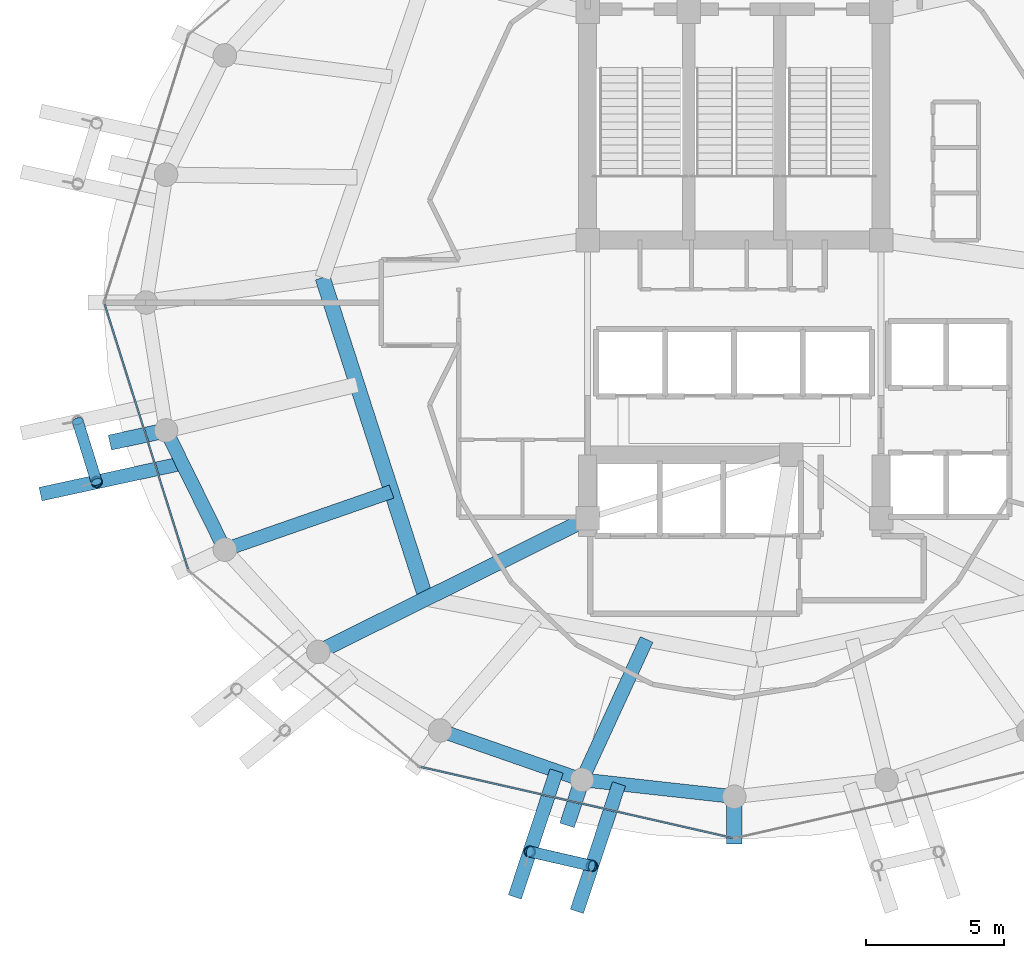
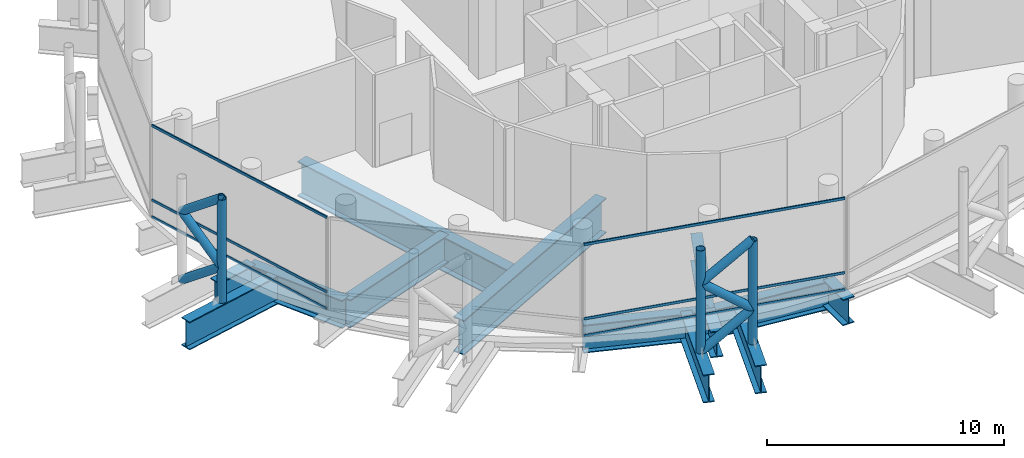
# One storey, part 3 of 31: 15 members, 13 beams, 2 elements without a shape of their own.
"""IFC4 building model written with IfcOpenShell, lengths in metres."""

from ifc_helpers import new_model, si_unit, direction, frame, origin, origin_2d, place, context, subcontext, project, spatial, hollow_rectangle, hollow_circle, i_section, extrude, material, layer, layer_set, material_profile, profile_set, type_object, element, aggregate, save


model = new_model("IFC4")

# Units and contexts
model_context = context("Model", 3, precision=1e-05, world=origin(), true_north=direction((0.0, 1.0)))
body_context = subcontext(model_context, "Body", "Model", "MODEL_VIEW")
ifc_project = project(units=[si_unit("LENGTHUNIT", "METRE"), si_unit("AREAUNIT", "SQUARE_METRE"), si_unit("VOLUMEUNIT", "CUBIC_METRE"), si_unit("PLANEANGLEUNIT", "RADIAN"), si_unit("MASSUNIT", "GRAM", prefix="KILO")], contexts=[model_context])

# Site, building, storey
site_placement = place(None, origin())
site = spatial("IfcSite", under=ifc_project, at=site_placement, CompositionType="ELEMENT")
building_placement = place(site_placement, origin())
building = spatial("IfcBuilding", under=site, at=building_placement, Name="Nuhasar Tower", CompositionType="ELEMENT")
storey_placement = place(building_placement, frame((0.0, 0.0, 203.14990234375)))
storey = spatial("IfcBuildingStorey", under=building, at=storey_placement, Name="L49", CompositionType="ELEMENT", Elevation=203.14990234375)

# Beams
ifc_material_1 = material(Name="Steel S460", Category="steel")
ifc_material_profile_1 = material_profile(ifc_material_1, i_section(OverallWidth=0.550048828125, OverallDepth=1.35009765625, WebThickness=0.028076171875, FlangeThickness=0.050048828125, at=origin_2d()), Name="PG1350X550")
ifc_profile_set_1 = profile_set([ifc_material_profile_1], Name="Steel S460")
beam_type_1 = type_object("IfcBeamType", Name="BM-XFER-PG1350", PredefinedType="USERDEFINED", material=ifc_profile_set_1)
beam_1_placement = place(storey_placement, frame((39.0, 8.949951171875, -0.994873046875), z_axis=(0.0, -1.0, 0.0), x_axis=(1.0, 0.0, 0.0)))
element("IfcBeam", 1, at=beam_1_placement, inside=storey, type_object=beam_type_1, Name="L49 Radial Step Transfer Girder 02", ObjectType="GIRDER", PredefinedType="USERDEFINED", context=body_context, shape_type="SweptSolid", body=[
    extrude(i_section(OverallWidth=0.550048828125, OverallDepth=1.35009765625, WebThickness=0.028076171875, FlangeThickness=0.050048828125, at=origin_2d()), origin(), (0.0, 0.0, 1.0), 1.699951171875),
])
beam_2_placement = place(storey_placement, frame((33.5, 9.55810546875, -0.994873046875), z_axis=(-0.313940053742, -0.949442806417, 0.0), x_axis=(0.949442806417, -0.313940053742, 0.0)))
element("IfcBeam", 2, at=beam_2_placement, inside=storey, type_object=beam_type_1, Name="L49 Outer Column Step Transfer Girder 18", ObjectType="GIRDER", PredefinedType="USERDEFINED", context=body_context, shape_type="SweptSolid", body=[
    extrude(i_section(OverallWidth=0.550048828125, OverallDepth=1.35009765625, WebThickness=0.028076171875, FlangeThickness=0.050048828125, at=origin_2d()), origin(), (0.0, 0.0, 1.0), 1.7294921875),
])
beam_3_placement = place(storey_placement, frame((18.47412109375, 22.179931640625, -0.994873046875), z_axis=(-0.977270764875, -0.211994934189, 0.0), x_axis=(0.211994934189, -0.977270764875, 0.0)))
element("IfcBeam", 3, at=beam_3_placement, inside=storey, type_object=beam_type_1, Name="L49 Outer Column Step Transfer Girder 14", ObjectType="GIRDER", PredefinedType="USERDEFINED", context=body_context, shape_type="SweptSolid", body=[
    extrude(i_section(OverallWidth=0.550048828125, OverallDepth=1.35009765625, WebThickness=0.028076171875, FlangeThickness=0.050048828125, at=origin_2d()), origin(), (0.0, 0.0, 1.0), 2.0751953125),
])
ifc_material_profile_2 = material_profile(ifc_material_1, i_section(OverallWidth=0.5, OverallDepth=1.449951171875, WebThickness=0.028076171875, FlangeThickness=0.050048828125, at=origin_2d()), Name="PG1450X500")
ifc_profile_set_2 = profile_set([ifc_material_profile_2], Name="Steel S460")
beam_type_2 = type_object("IfcBeamType", Name="BM-XFER-PG1450", PredefinedType="USERDEFINED", material=ifc_profile_set_2)
beam_4_placement = place(storey_placement, frame((18.47412109375, 22.179931640625, -1.044921875), z_axis=(0.442262779282, -0.896885518928, 0.0), x_axis=(0.896885518928, 0.442262779282, 0.0)))
element("IfcBeam", 4, at=beam_4_placement, inside=storey, type_object=beam_type_2, Name="L49 Perimeter Ring Spandrel 14", ObjectType="GIRDER", PredefinedType="USERDEFINED", context=body_context, shape_type="SweptSolid", body=[
    extrude(i_section(OverallWidth=0.5, OverallDepth=1.449951171875, WebThickness=0.028076171875, FlangeThickness=0.050048828125, at=origin_2d()), origin(), (0.0, 0.0, 1.0), 4.7998046875),
])
beam_5_placement = place(storey_placement, frame((28.375, 11.341064453125, -1.044921875), z_axis=(0.944476764686, -0.328578211342, 0.0), x_axis=(0.328578211342, 0.944476764686, 0.0)))
element("IfcBeam", 5, at=beam_5_placement, inside=storey, type_object=beam_type_2, Name="L49 Perimeter Ring Spandrel 17", ObjectType="GIRDER", PredefinedType="USERDEFINED", context=body_context, shape_type="SweptSolid", body=[
    extrude(i_section(OverallWidth=0.5, OverallDepth=1.449951171875, WebThickness=0.028076171875, FlangeThickness=0.050048828125, at=origin_2d()), origin(), (0.0, 0.0, 1.0), 5.42626953125),
])
beam_6_placement = place(storey_placement, frame((33.5, 9.55810546875, -1.044921875), z_axis=(0.993942242238, -0.109903680993, 0.0), x_axis=(0.109903680993, 0.993942242238, 0.0)))
element("IfcBeam", 6, at=beam_6_placement, inside=storey, type_object=beam_type_2, Name="L49 Perimeter Ring Spandrel 18", ObjectType="GIRDER", PredefinedType="USERDEFINED", context=body_context, shape_type="SweptSolid", body=[
    extrude(i_section(OverallWidth=0.5, OverallDepth=1.449951171875, WebThickness=0.028076171875, FlangeThickness=0.050048828125, at=origin_2d()), origin(), (0.0, 0.0, 1.0), 5.533447265625),
])
beam_7_placement = place(storey_placement, frame((35.8349609375, 14.62890625, -1.044921875), z_axis=(-0.418259307339, -0.908327667653, 0.0), x_axis=(0.908327667653, -0.418259307339, 0.0)))
element("IfcBeam", 7, at=beam_7_placement, inside=storey, type_object=beam_type_2, Name="L49 Inner Column Transfer Girder 18", ObjectType="GIRDER", PredefinedType="USERDEFINED", context=body_context, shape_type="SweptSolid", body=[
    extrude(i_section(OverallWidth=0.5, OverallDepth=1.449951171875, WebThickness=0.028076171875, FlangeThickness=0.050048828125, at=origin_2d()), origin(), (0.0, 0.0, 1.0), 5.58251953125),
])
beam_8_placement = place(storey_placement, frame((26.618896484375, 19.970947265625, -1.044921875), z_axis=(-0.944431176854, -0.328709221329, 0.0), x_axis=(0.328709221329, -0.944431176854, 0.0)))
element("IfcBeam", 8, at=beam_8_placement, inside=storey, type_object=beam_type_2, Name="L49 Inner Column Transfer Girder 15", ObjectType="GIRDER", PredefinedType="USERDEFINED", context=body_context, shape_type="SweptSolid", body=[
    extrude(i_section(OverallWidth=0.5, OverallDepth=1.449951171875, WebThickness=0.028076171875, FlangeThickness=0.050048828125, at=origin_2d()), origin(), (0.0, 0.0, 1.0), 6.376220703125),
])
beam_9_placement = place(storey_placement, frame((19.06103515625, 20.990966796875, -1.044921875), z_axis=(-0.977224692322, -0.212207211743, 0.0), x_axis=(0.212207211743, -0.977224692322, 0.0)))
element("IfcBeam", 9, at=beam_9_placement, inside=storey, type_object=beam_type_2, Name="L49 Exoskeleton Step Transfer Girder 14", ObjectType="GIRDER", PredefinedType="USERDEFINED", context=body_context, shape_type="SweptSolid", body=[
    extrude(i_section(OverallWidth=0.5, OverallDepth=1.449951171875, WebThickness=0.028076171875, FlangeThickness=0.050048828125, at=origin_2d()), origin(), (0.0, 0.0, 1.0), 5.240478515625),
])
beam_10_placement = place(storey_placement, frame((32.580078125, 9.8779296875, -1.044921875), z_axis=(-0.314364482033, -0.949302360914, 0.0), x_axis=(0.949302360914, -0.314364482033, 0.0)))
element("IfcBeam", 10, at=beam_10_placement, inside=storey, type_object=beam_type_2, Name="L49 Exoskeleton Step Transfer Girder 17", ObjectType="GIRDER", PredefinedType="USERDEFINED", context=body_context, shape_type="SweptSolid", body=[
    extrude(i_section(OverallWidth=0.5, OverallDepth=1.449951171875, WebThickness=0.028076171875, FlangeThickness=0.050048828125, at=origin_2d()), origin(), (0.0, 0.0, 1.0), 4.797119140625),
])
beam_11_placement = place(storey_placement, frame((34.8359375, 9.409912109375, -1.044921875), z_axis=(-0.314125764115, -0.949381379804, 0.0), x_axis=(0.949381379804, -0.314125764115, 0.0)))
element("IfcBeam", 11, at=beam_11_placement, inside=storey, type_object=beam_type_2, Name="L49 Exoskeleton Step Transfer Girder 18", ObjectType="GIRDER", PredefinedType="USERDEFINED", context=body_context, shape_type="SweptSolid", body=[
    extrude(i_section(OverallWidth=0.5, OverallDepth=1.449951171875, WebThickness=0.028076171875, FlangeThickness=0.050048828125, at=origin_2d()), origin(), (0.0, 0.0, 1.0), 4.84521484375),
])
ifc_material_profile_3 = material_profile(ifc_material_1, i_section(OverallWidth=0.550048828125, OverallDepth=1.800048828125, WebThickness=0.031982421875, FlangeThickness=0.054931640625, at=origin_2d()), Name="PG1800X550")
ifc_profile_set_3 = profile_set([ifc_material_profile_3], Name="Steel S460")
beam_type_3 = type_object("IfcBeamType", Name="BM-XFER-PG1800", PredefinedType="USERDEFINED", material=ifc_profile_set_3)
beam_12_placement = place(storey_placement, frame((33.699951171875, 19.0, -1.219970703125), z_axis=(-0.895928935233, -0.444197414459, 0.0), x_axis=(0.444197414459, -0.895928935233, 0.0)))
element("IfcBeam", 12, at=beam_12_placement, inside=storey, type_object=beam_type_3, Name="L49 Radial Floor Girder 01", ObjectType="GIRDER", PredefinedType="USERDEFINED", context=body_context, shape_type="SweptSolid", body=[
    extrude(i_section(OverallWidth=0.550048828125, OverallDepth=1.800048828125, WebThickness=0.031982421875, FlangeThickness=0.054931640625, at=origin_2d()), origin(), (0.0, 0.0, 1.0), 10.85546875),
])
beam_13_placement = place(storey_placement, frame((24.1298828125, 27.699951171875, -1.219970703125), z_axis=(0.306589852134, -0.951841721385, 0.0), x_axis=(0.951841721385, 0.306589852134, 0.0)))
element("IfcBeam", 13, at=beam_13_placement, inside=storey, type_object=beam_type_3, Name="L49 Inner Header Beam 08", ObjectType="GIRDER", PredefinedType="USERDEFINED", context=body_context, shape_type="SweptSolid", body=[
    extrude(i_section(OverallWidth=0.550048828125, OverallDepth=1.800048828125, WebThickness=0.031982421875, FlangeThickness=0.054931640625, at=origin_2d()), origin(), (0.0, 0.0, 1.0), 12.179443359375),
])

# Curtain wall, members
ifc_material_2 = material(Name="Aluminium 6063-T6", Category="aluminium")
ifc_layer = layer(ifc_material_2, 0.239990234375)
ifc_layer_set = layer_set([ifc_layer], Name="Aluminium 6063-T6")
curtain_wall_type = type_object("IfcCurtainWallType", Name="CW-SKY-LBY", PredefinedType="NOTDEFINED", material=ifc_layer_set)
curtain_wall_1_placement = place(storey_placement, origin())
curtain_wall_1 = element("IfcCurtainWall", 14, at=curtain_wall_1_placement, inside=storey, type_object=curtain_wall_type, Name="L49 Unitised Curtain Wall 07", PredefinedType="NOTDEFINED")
ifc_material_profile_4 = material_profile(ifc_material_2, hollow_rectangle(XDim=0.06005859375, YDim=0.1298828125, WallThickness=0.00439453125, at=origin_2d()), Name="CWT-6")
ifc_profile_set_4 = profile_set([ifc_material_profile_4], Name="Aluminium 6063-T6")
member_type_1 = type_object("IfcMemberType", Name="CW-TRN-S6", PredefinedType="USERDEFINED", material=ifc_profile_set_4)
member_1_placement = place(storey_placement, frame((16.258056640625, 26.74267578125, 0.030029296875), z_axis=(0.300431070705, -0.953803528907, 0.0), x_axis=(0.953803528907, 0.300431070705, 0.0)))
member_1 = element("IfcMember", 15, at=member_1_placement, type_object=member_type_1, Name="CW-SL transom 1.1", ObjectType="TRANSOM", PredefinedType="USERDEFINED", context=body_context, shape_type="SweptSolid", body=[
    extrude(hollow_rectangle(XDim=0.06005859375, YDim=0.1298828125, WallThickness=0.00439453125, at=origin_2d()), origin(), (0.0, 0.0, 1.0), 10.02880859375),
])
member_2_placement = place(storey_placement, frame((16.258056640625, 26.74267578125, 0.900146484375), z_axis=(0.300431070705, -0.953803528907, 0.0), x_axis=(0.953803528907, 0.300431070705, 0.0)))
member_2 = element("IfcMember", 16, at=member_2_placement, type_object=member_type_1, Name="CW-SL transom 1.2", ObjectType="TRANSOM", PredefinedType="USERDEFINED", context=body_context, shape_type="SweptSolid", body=[
    extrude(hollow_rectangle(XDim=0.06005859375, YDim=0.1298828125, WallThickness=0.00439453125, at=origin_2d()), origin(), (0.0, 0.0, 1.0), 10.02880859375),
])
member_3_placement = place(storey_placement, frame((16.258056640625, 26.74267578125, 4.72998046875), z_axis=(0.300431070705, -0.953803528907, 0.0), x_axis=(0.953803528907, 0.300431070705, 0.0)))
member_3 = element("IfcMember", 17, at=member_3_placement, type_object=member_type_1, Name="CW-SL transom 1.3", ObjectType="TRANSOM", PredefinedType="USERDEFINED", context=body_context, shape_type="SweptSolid", body=[
    extrude(hollow_rectangle(XDim=0.06005859375, YDim=0.1298828125, WallThickness=0.00439453125, at=origin_2d()), origin(), (0.0, 0.0, 1.0), 10.02880859375),
])
aggregate(curtain_wall_1, [member_1, member_2, member_3])

curtain_wall_2_placement = place(storey_placement, origin())
curtain_wall_2 = element("IfcCurtainWall", 18, at=curtain_wall_2_placement, inside=storey, type_object=curtain_wall_type, Name="L49 Unitised Curtain Wall 09", PredefinedType="NOTDEFINED")
member_4_placement = place(storey_placement, frame((27.678466796875, 10.020751953125, 0.030029296875), z_axis=(0.974990028275, -0.222248610265, 0.0), x_axis=(0.222248610265, 0.974990028275, 0.0)))
member_4 = element("IfcMember", 19, at=member_4_placement, type_object=member_type_1, Name="CW-SL transom 1.1", ObjectType="TRANSOM", PredefinedType="USERDEFINED", context=body_context, shape_type="SweptSolid", body=[
    extrude(hollow_rectangle(XDim=0.06005859375, YDim=0.1298828125, WallThickness=0.00439453125, at=origin_2d()), origin(), (0.0, 0.0, 1.0), 11.5517578125),
])
member_5_placement = place(storey_placement, frame((27.678466796875, 10.020751953125, 0.900146484375), z_axis=(0.974990028275, -0.222248610265, 0.0), x_axis=(0.222248610265, 0.974990028275, 0.0)))
member_5 = element("IfcMember", 20, at=member_5_placement, type_object=member_type_1, Name="CW-SL transom 1.2", ObjectType="TRANSOM", PredefinedType="USERDEFINED", context=body_context, shape_type="SweptSolid", body=[
    extrude(hollow_rectangle(XDim=0.06005859375, YDim=0.1298828125, WallThickness=0.00439453125, at=origin_2d()), origin(), (0.0, 0.0, 1.0), 11.5517578125),
])
member_6_placement = place(storey_placement, frame((27.678466796875, 10.020751953125, 4.72998046875), z_axis=(0.974990028275, -0.222248610265, 0.0), x_axis=(0.222248610265, 0.974990028275, 0.0)))
member_6 = element("IfcMember", 21, at=member_6_placement, type_object=member_type_1, Name="CW-SL transom 1.3", ObjectType="TRANSOM", PredefinedType="USERDEFINED", context=body_context, shape_type="SweptSolid", body=[
    extrude(hollow_rectangle(XDim=0.06005859375, YDim=0.1298828125, WallThickness=0.00439453125, at=origin_2d()), origin(), (0.0, 0.0, 1.0), 11.5517578125),
])
aggregate(curtain_wall_2, [member_4, member_5, member_6])

# Members
ifc_material_profile_5 = material_profile(ifc_material_1, hollow_circle(Radius=0.203125, WallThickness=0.01904296875, at=origin_2d()), Name="HSS406.4X19.1")
ifc_profile_set_5 = profile_set([ifc_material_profile_5], Name="Steel S460")
member_type_2 = type_object("IfcMemberType", Name="EXO-BRONZE-406", PredefinedType="BRACE", material=ifc_profile_set_5)
for number, where, z_axis, x_axis, name in (
    (22, (15.967041015625, 20.319091796875, -0.31982421875), (0.0, 0.0, 1.0), (1.0, 0.0, 0.0), "L49 Exoskeleton Chord Column EC-07B"),
    (23, (31.615966796875, 6.967041015625, -0.31982421875), (0.0, 0.0, 1.0), (1.0, 0.0, 0.0), "L49 Exoskeleton Chord Column EC-09A"),
    (24, (33.85693359375, 6.450927734375, -0.31982421875), (0.0, 0.0, 1.0), (1.0, 0.0, 0.0), "L49 Exoskeleton Chord Column EC-09B"),
):
    element("IfcMember", number, at=place(storey_placement, frame(where, z_axis=z_axis, x_axis=x_axis)), inside=storey, type_object=member_type_2, Name=name, PredefinedType="BRACE", context=body_context, shape_type="SweptSolid", body=[
        extrude(hollow_circle(Radius=0.203125, WallThickness=0.01904296875, at=origin_2d()), origin(), (0.0, 0.0, 1.0), 5.31982421875),
    ])
member_7_placement = place(storey_placement, frame((15.281982421875, 22.513916015625, -0.31982421875), z_axis=(0.235948006598, -0.755941760269, 0.610639495336), x_axis=(0.954581948223, 0.297948492404, 0.0)))
element("IfcMember", 25, at=member_7_placement, inside=storey, type_object=member_type_2, Name="L49 Bronze Diagrid Brace W1-07", PredefinedType="BRACE", context=body_context, shape_type="SweptSolid", body=[
    extrude(hollow_circle(Radius=0.203125, WallThickness=0.01904296875, at=origin_2d()), origin(), (0.0, 0.0, 1.0), 2.9033203125),
])
member_8_placement = place(storey_placement, frame((15.967041015625, 20.319091796875, 1.453125), z_axis=(-0.235899547467, 0.755786504535, 0.610850360618), x_axis=(-0.954581948223, -0.297948492404, 0.0)))
element("IfcMember", 26, at=member_8_placement, inside=storey, type_object=member_type_2, Name="L49 Bronze Diagrid Brace W2-07", PredefinedType="BRACE", context=body_context, shape_type="SweptSolid", body=[
    extrude(hollow_circle(Radius=0.203125, WallThickness=0.01904296875, at=origin_2d()), origin(), (0.0, 0.0, 1.0), 2.904052734375),
])
member_9_placement = place(storey_placement, frame((15.281982421875, 22.513916015625, 3.22705078125), z_axis=(0.235948006598, -0.755941760269, 0.610639495336), x_axis=(0.954581948223, 0.297948492404, 0.0)))
element("IfcMember", 27, at=member_9_placement, inside=storey, type_object=member_type_2, Name="L49 Bronze Diagrid Brace W3-07", PredefinedType="BRACE", context=body_context, shape_type="SweptSolid", body=[
    extrude(hollow_circle(Radius=0.203125, WallThickness=0.01904296875, at=origin_2d()), origin(), (0.0, 0.0, 1.0), 2.9033203125),
])
member_10_placement = place(storey_placement, frame((31.615966796875, 6.967041015625, -0.31982421875), z_axis=(0.771754255103, -0.177741420121, 0.610576250197), x_axis=(0.224433035437, 0.97448951385, 0.0)))
element("IfcMember", 28, at=member_10_placement, inside=storey, type_object=member_type_2, Name="L49 Bronze Diagrid Brace W1-09", PredefinedType="BRACE", context=body_context, shape_type="SweptSolid", body=[
    extrude(hollow_circle(Radius=0.203125, WallThickness=0.01904296875, at=origin_2d()), origin(), (0.0, 0.0, 1.0), 2.90380859375),
])
member_11_placement = place(storey_placement, frame((33.85693359375, 6.450927734375, 1.453125), z_axis=(-0.771595784612, 0.177704923049, 0.61078711962), x_axis=(-0.224433035437, -0.97448951385, 0.0)))
element("IfcMember", 29, at=member_11_placement, inside=storey, type_object=member_type_2, Name="L49 Bronze Diagrid Brace W2-09", PredefinedType="BRACE", context=body_context, shape_type="SweptSolid", body=[
    extrude(hollow_circle(Radius=0.203125, WallThickness=0.01904296875, at=origin_2d()), origin(), (0.0, 0.0, 1.0), 2.904296875),
])
member_12_placement = place(storey_placement, frame((31.615966796875, 6.967041015625, 3.22705078125), z_axis=(0.771754255103, -0.177741420121, 0.610576250197), x_axis=(0.224433035437, 0.97448951385, 0.0)))
element("IfcMember", 30, at=member_12_placement, inside=storey, type_object=member_type_2, Name="L49 Bronze Diagrid Brace W3-09", PredefinedType="BRACE", context=body_context, shape_type="SweptSolid", body=[
    extrude(hollow_circle(Radius=0.203125, WallThickness=0.01904296875, at=origin_2d()), origin(), (0.0, 0.0, 1.0), 2.90380859375),
])

save(model, "model.ifc")
